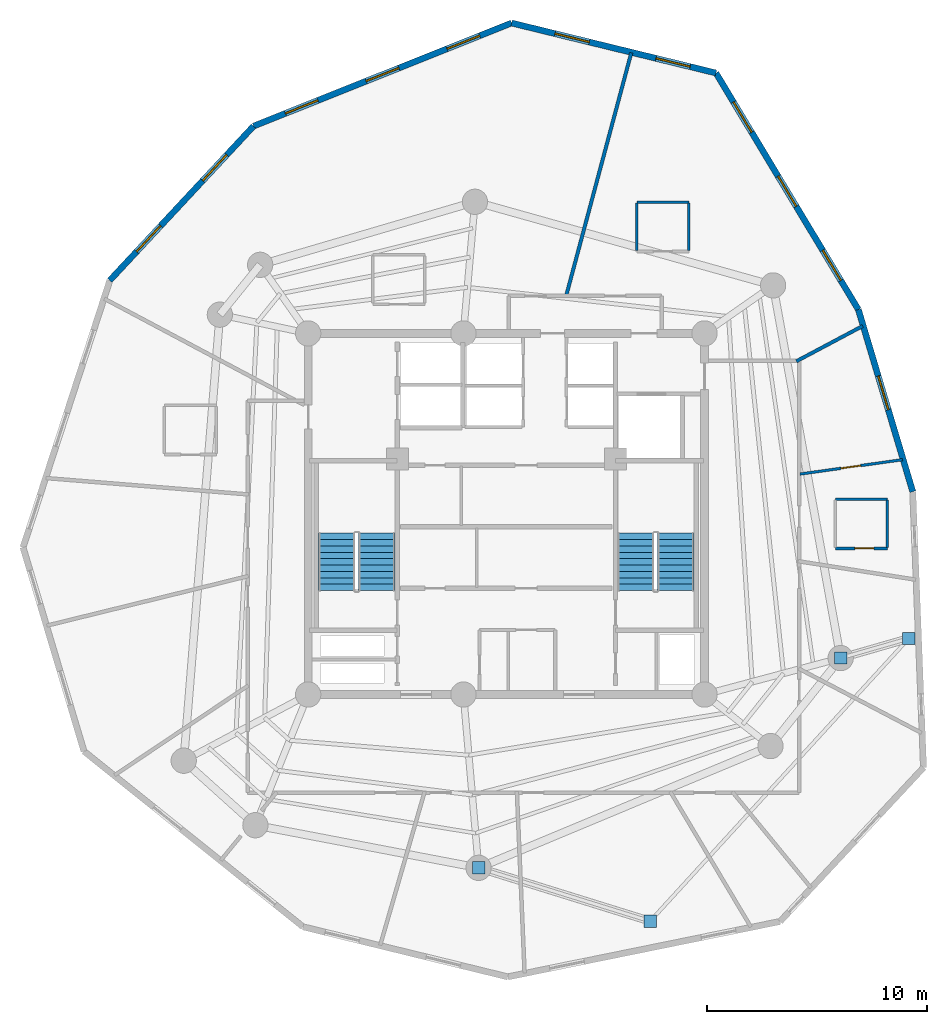
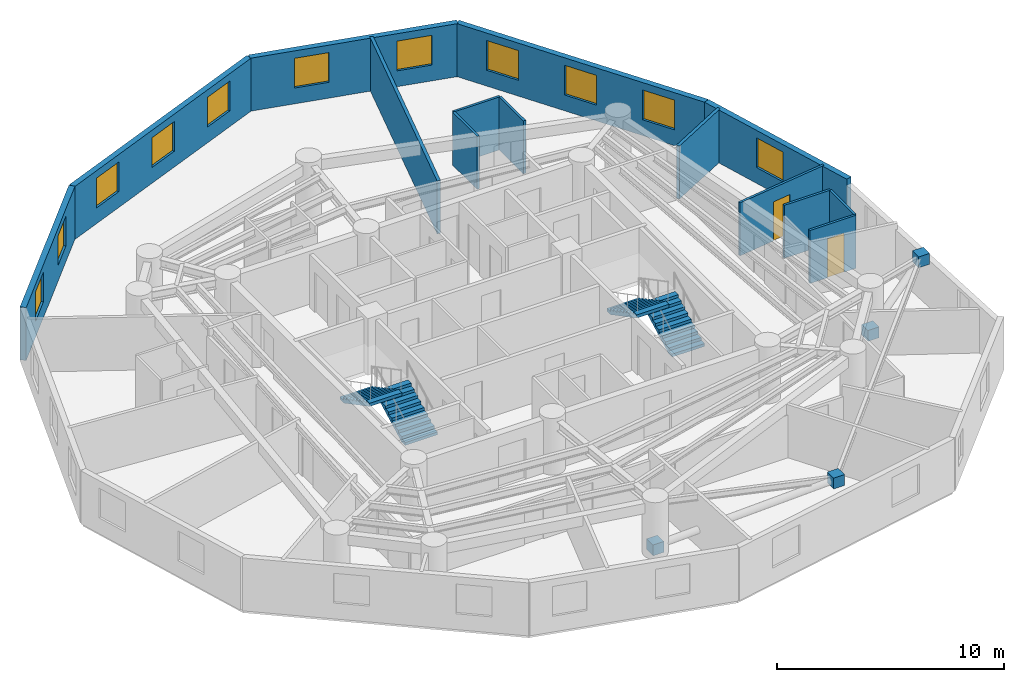
# One storey, part 6 of 7: 14 walls, 11 windows, 4 discrete accessories, 4 stair flights, 2 doors, 13 openings, 2 elements without a shape of their own.
"""IFC4 building model written with IfcOpenShell, lengths in metres."""

from ifc_helpers import new_model, si_unit, direction, frame, frame_2d, origin, origin_with_axes, origin_2d, place, context, subcontext, project, spatial, polyline, rectangle, outline, extrude, source, transform, mapped, material, layer, layer_set, type_object, element, fill, aggregate, save


model = new_model("IFC4")

# Units and contexts
model_context = context("Model", 3, precision=1e-05, world=origin(), true_north=direction((0.0, 1.0)))
body_context = subcontext(model_context, "Body", "Model", "MODEL_VIEW")
ifc_project = project(units=[si_unit("LENGTHUNIT", "METRE"), si_unit("AREAUNIT", "SQUARE_METRE"), si_unit("VOLUMEUNIT", "CUBIC_METRE"), si_unit("PLANEANGLEUNIT", "RADIAN"), si_unit("MASSUNIT", "GRAM", prefix="KILO")], contexts=[model_context])

# Site, building, storey
site_placement = place(None, origin())
site = spatial("IfcSite", under=ifc_project, at=site_placement, CompositionType="ELEMENT")
building_placement = place(site_placement, origin())
building = spatial("IfcBuilding", under=site, at=building_placement, Name="Karkom Vertical University and Central Library", CompositionType="ELEMENT")
storey_placement = place(building_placement, frame((0.0, 0.0, 229.10009765625)))
storey = spatial("IfcBuildingStorey", under=building, at=storey_placement, Name="L67", CompositionType="ELEMENT", Elevation=229.10009765625)

# Wall, opening, window
ifc_material_1 = material(Name="Brick-faced precast concrete C45/55", Category="masonry")
ifc_layer_1 = layer(ifc_material_1, 0.280029296875)
ifc_layer_set_1 = layer_set([ifc_layer_1], Name="Brick-faced precast concrete C45/55")
wall_type_1 = type_object("IfcWallType", Name="ENV-WL-BRK-280", PredefinedType="SOLIDWALL", material=ifc_layer_set_1)
wall_1_placement = place(storey_placement, frame((46.958251953125, 27.51318359375, 0.0), z_axis=(0.0, 0.0, 1.0), x_axis=(-0.286358854321, 0.958122438184, 0.0)))
wall_1 = element("IfcWall", 1, at=wall_1_placement, inside=storey, type_object=wall_type_1, Name="Level 67 Brick-Faced Precast Facade Wall 07", PredefinedType="SOLIDWALL", context=body_context, shape_type="SweptSolid", body=[
    extrude(rectangle(XDim=8.629638671875, YDim=0.280029296875, at=frame_2d((4.31494140625, 0.0))), origin(), (0.0, 0.0, 1.0), 2.849853515625),
])
opening_1_placement = place(wall_1_placement, frame((3.881103515625, 0.0, 0.85009765625)))
opening_1 = element("IfcOpeningElement", 2, at=opening_1_placement, cuts=wall_1, Name="Opening WN-10", PredefinedType="OPENING", context=body_context, shape_type="SweptSolid", body=[
    extrude(rectangle(XDim=1.60009765625, YDim=1.60009765625, at=frame_2d((0.800048828125, 0.800048828125))), frame((0.0, 0.14990234375, 0.0), z_axis=(0.0, -1.0, 0.0), x_axis=(1.0, 0.0, 0.0)), (0.0, 0.0, 1.0), 0.300048828125),
])
ifc_material_2 = material(Name="Aluminium thermal-break frame with solar-control IGU", Category="aluminium")
window_type = type_object("IfcWindowType", Name="ENV-WIN-WN-10", PartitioningType="SINGLE_PANEL", PredefinedType="WINDOW", material=ifc_material_2)
shared_shape_1 = source(origin_with_axes(), body_context, "Body", "SweptSolid", [
    extrude(rectangle(XDim=1.60009765625, YDim=1.60009765625, at=frame_2d((0.800048828125, 0.800048828125))), frame((0.0, 0.030029296875, 0.0), z_axis=(0.0, -1.0, 0.0), x_axis=(1.0, 0.0, 0.0)), (0.0, 0.0, 1.0), 0.06005859375),
])
window_1_placement = place(opening_1_placement, origin())
window_1 = element("IfcWindow", 3, at=window_1_placement, inside=storey, type_object=window_type, Name="Level 67 Punched Window 7.1", OverallHeight=1.60009765625, OverallWidth=1.60009765625, PartitioningType="SINGLE_PANEL", PredefinedType="WINDOW", context=body_context, shape_type="MappedRepresentation", body=[
    mapped(shared_shape_1, transform((0.0, 0.0, 0.0), scale=1.0)),
])
fill(opening_1, window_1)

# Wall, openings, windows
wall_2_placement = place(storey_placement, frame((44.487060546875, 35.781494140625, 0.0), z_axis=(0.0, 0.0, 1.0), x_axis=(-0.515700438424, 0.856768964079, 0.0)))
wall_2 = element("IfcWall", 4, at=wall_2_placement, inside=storey, type_object=wall_type_1, Name="Level 67 Brick-Faced Precast Facade Wall 08", PredefinedType="SOLIDWALL", context=body_context, shape_type="SweptSolid", body=[
    extrude(rectangle(XDim=12.541748046875, YDim=0.280029296875, at=frame_2d((6.27099609375, 0.0))), origin(), (0.0, 0.0, 1.0), 2.849853515625),
])
opening_2_placement = place(wall_2_placement, frame((1.543701171875, 0.0, 0.85009765625)))
opening_2 = element("IfcOpeningElement", 5, at=opening_2_placement, cuts=wall_2, Name="Opening WN-10", PredefinedType="OPENING", context=body_context, shape_type="SweptSolid", body=[
    extrude(rectangle(XDim=1.60009765625, YDim=1.60009765625, at=frame_2d((0.800048828125, 0.800048828125))), frame((0.0, 0.14990234375, 0.0), z_axis=(0.0, -1.0, 0.0), x_axis=(1.0, 0.0, 0.0)), (0.0, 0.0, 1.0), 0.300048828125),
])
opening_3_placement = place(wall_2_placement, frame((5.470703125, 0.0, 0.85009765625)))
opening_3 = element("IfcOpeningElement", 6, at=opening_3_placement, cuts=wall_2, Name="Opening WN-10", PredefinedType="OPENING", context=body_context, shape_type="SweptSolid", body=[
    extrude(rectangle(XDim=1.60009765625, YDim=1.60009765625, at=frame_2d((0.800048828125, 0.800048828125))), frame((0.0, 0.14990234375, 0.0), z_axis=(0.0, -1.0, 0.0), x_axis=(1.0, 0.0, 0.0)), (0.0, 0.0, 1.0), 0.300048828125),
])
opening_4_placement = place(wall_2_placement, frame((9.39794921875, 0.0, 0.85009765625)))
opening_4 = element("IfcOpeningElement", 7, at=opening_4_placement, cuts=wall_2, Name="Opening WN-10", PredefinedType="OPENING", context=body_context, shape_type="SweptSolid", body=[
    extrude(rectangle(XDim=1.60009765625, YDim=1.60009765625, at=frame_2d((0.800048828125, 0.800048828125))), frame((0.0, 0.14990234375, 0.0), z_axis=(0.0, -1.0, 0.0), x_axis=(1.0, 0.0, 0.0)), (0.0, 0.0, 1.0), 0.300048828125),
])
window_2_placement = place(opening_2_placement, origin())
window_2 = element("IfcWindow", 8, at=window_2_placement, inside=storey, type_object=window_type, Name="Level 67 Punched Window 8.1", OverallHeight=1.60009765625, OverallWidth=1.60009765625, PartitioningType="SINGLE_PANEL", PredefinedType="WINDOW", context=body_context, shape_type="MappedRepresentation", body=[
    mapped(shared_shape_1, transform((0.0, 0.0, 0.0), scale=1.0)),
])
fill(opening_2, window_2)
window_3_placement = place(opening_3_placement, origin())
window_3 = element("IfcWindow", 9, at=window_3_placement, inside=storey, type_object=window_type, Name="Level 67 Punched Window 8.2", OverallHeight=1.60009765625, OverallWidth=1.60009765625, PartitioningType="SINGLE_PANEL", PredefinedType="WINDOW", context=body_context, shape_type="MappedRepresentation", body=[
    mapped(shared_shape_1, transform((0.0, 0.0, 0.0), scale=1.0)),
])
fill(opening_3, window_3)
window_4_placement = place(opening_4_placement, origin())
window_4 = element("IfcWindow", 10, at=window_4_placement, inside=storey, type_object=window_type, Name="Level 67 Punched Window 8.3", OverallHeight=1.60009765625, OverallWidth=1.60009765625, PartitioningType="SINGLE_PANEL", PredefinedType="WINDOW", context=body_context, shape_type="MappedRepresentation", body=[
    mapped(shared_shape_1, transform((0.0, 0.0, 0.0), scale=1.0)),
])
fill(opening_4, window_4)

wall_3_placement = place(storey_placement, frame((38.019287109375, 46.52685546875, 0.0), z_axis=(0.0, 0.0, 1.0), x_axis=(-0.971378572571, 0.237536668223, 0.0)))
wall_3 = element("IfcWall", 11, at=wall_3_placement, inside=storey, type_object=wall_type_1, Name="Level 67 Brick-Faced Precast Facade Wall 09", PredefinedType="SOLIDWALL", context=body_context, shape_type="SweptSolid", body=[
    extrude(rectangle(XDim=9.555419921875, YDim=0.280029296875, at=frame_2d((4.77783203125, 0.0))), origin(), (0.0, 0.0, 1.0), 2.849853515625),
])
opening_5_placement = place(wall_3_placement, frame((1.20703125, 0.0, 0.85009765625)))
opening_5 = element("IfcOpeningElement", 12, at=opening_5_placement, cuts=wall_3, Name="Opening WN-10", PredefinedType="OPENING", context=body_context, shape_type="SweptSolid", body=[
    extrude(rectangle(XDim=1.60009765625, YDim=1.60009765625, at=frame_2d((0.800048828125, 0.800048828125))), frame((0.0, 0.14990234375, 0.0), z_axis=(0.0, -1.0, 0.0), x_axis=(1.0, 0.0, 0.0)), (0.0, 0.0, 1.0), 0.300048828125),
])
opening_6_placement = place(wall_3_placement, frame((5.9248046875, 0.0, 0.85009765625)))
opening_6 = element("IfcOpeningElement", 13, at=opening_6_placement, cuts=wall_3, Name="Opening WN-10", PredefinedType="OPENING", context=body_context, shape_type="SweptSolid", body=[
    extrude(rectangle(XDim=1.60009765625, YDim=1.60009765625, at=frame_2d((0.800048828125, 0.800048828125))), frame((0.0, 0.14990234375, 0.0), z_axis=(0.0, -1.0, 0.0), x_axis=(1.0, 0.0, 0.0)), (0.0, 0.0, 1.0), 0.300048828125),
])
window_5_placement = place(opening_5_placement, origin())
window_5 = element("IfcWindow", 14, at=window_5_placement, inside=storey, type_object=window_type, Name="Level 67 Punched Window 9.1", OverallHeight=1.60009765625, OverallWidth=1.60009765625, PartitioningType="SINGLE_PANEL", PredefinedType="WINDOW", context=body_context, shape_type="MappedRepresentation", body=[
    mapped(shared_shape_1, transform((0.0, 0.0, 0.0), scale=1.0)),
])
fill(opening_5, window_5)
window_6_placement = place(opening_6_placement, origin())
window_6 = element("IfcWindow", 15, at=window_6_placement, inside=storey, type_object=window_type, Name="Level 67 Punched Window 9.2", OverallHeight=1.60009765625, OverallWidth=1.60009765625, PartitioningType="SINGLE_PANEL", PredefinedType="WINDOW", context=body_context, shape_type="MappedRepresentation", body=[
    mapped(shared_shape_1, transform((0.0, 0.0, 0.0), scale=1.0)),
])
fill(opening_6, window_6)

wall_4_placement = place(storey_placement, frame((28.7373046875, 48.796630859375, 0.0), z_axis=(0.0, 0.0, 1.0), x_axis=(-0.928620705321, -0.371030437631, 0.0)))
wall_4 = element("IfcWall", 16, at=wall_4_placement, inside=storey, type_object=wall_type_1, Name="Level 67 Brick-Faced Precast Facade Wall 10", PredefinedType="SOLIDWALL", context=body_context, shape_type="SweptSolid", body=[
    extrude(rectangle(XDim=12.62060546875, YDim=0.280029296875, at=frame_2d((6.310302734375, 0.0))), origin(), (0.0, 0.0, 1.0), 2.849853515625),
])
opening_7_placement = place(wall_4_placement, frame((1.556884765625, 0.0, 0.85009765625)))
opening_7 = element("IfcOpeningElement", 17, at=opening_7_placement, cuts=wall_4, Name="Opening WN-10", PredefinedType="OPENING", context=body_context, shape_type="SweptSolid", body=[
    extrude(rectangle(XDim=1.60009765625, YDim=1.60009765625, at=frame_2d((0.800048828125, 0.800048828125))), frame((0.0, 0.14990234375, 0.0), z_axis=(0.0, -1.0, 0.0), x_axis=(1.0, 0.0, 0.0)), (0.0, 0.0, 1.0), 0.300048828125),
])
opening_8_placement = place(wall_4_placement, frame((5.510498046875, 0.0, 0.85009765625)))
opening_8 = element("IfcOpeningElement", 18, at=opening_8_placement, cuts=wall_4, Name="Opening WN-10", PredefinedType="OPENING", context=body_context, shape_type="SweptSolid", body=[
    extrude(rectangle(XDim=1.60009765625, YDim=1.60009765625, at=frame_2d((0.800048828125, 0.800048828125))), frame((0.0, 0.14990234375, 0.0), z_axis=(0.0, -1.0, 0.0), x_axis=(1.0, 0.0, 0.0)), (0.0, 0.0, 1.0), 0.300048828125),
])
opening_9_placement = place(wall_4_placement, frame((9.4638671875, 0.0, 0.85009765625)))
opening_9 = element("IfcOpeningElement", 19, at=opening_9_placement, cuts=wall_4, Name="Opening WN-10", PredefinedType="OPENING", context=body_context, shape_type="SweptSolid", body=[
    extrude(rectangle(XDim=1.60009765625, YDim=1.60009765625, at=frame_2d((0.800048828125, 0.800048828125))), frame((0.0, 0.14990234375, 0.0), z_axis=(0.0, -1.0, 0.0), x_axis=(1.0, 0.0, 0.0)), (0.0, 0.0, 1.0), 0.300048828125),
])
window_7_placement = place(opening_7_placement, origin())
window_7 = element("IfcWindow", 20, at=window_7_placement, inside=storey, type_object=window_type, Name="Level 67 Punched Window 10.1", OverallHeight=1.60009765625, OverallWidth=1.60009765625, PartitioningType="SINGLE_PANEL", PredefinedType="WINDOW", context=body_context, shape_type="MappedRepresentation", body=[
    mapped(shared_shape_1, transform((0.0, 0.0, 0.0), scale=1.0)),
])
fill(opening_7, window_7)
window_8_placement = place(opening_8_placement, origin())
window_8 = element("IfcWindow", 21, at=window_8_placement, inside=storey, type_object=window_type, Name="Level 67 Punched Window 10.2", OverallHeight=1.60009765625, OverallWidth=1.60009765625, PartitioningType="SINGLE_PANEL", PredefinedType="WINDOW", context=body_context, shape_type="MappedRepresentation", body=[
    mapped(shared_shape_1, transform((0.0, 0.0, 0.0), scale=1.0)),
])
fill(opening_8, window_8)
window_9_placement = place(opening_9_placement, origin())
window_9 = element("IfcWindow", 22, at=window_9_placement, inside=storey, type_object=window_type, Name="Level 67 Punched Window 10.3", OverallHeight=1.60009765625, OverallWidth=1.60009765625, PartitioningType="SINGLE_PANEL", PredefinedType="WINDOW", context=body_context, shape_type="MappedRepresentation", body=[
    mapped(shared_shape_1, transform((0.0, 0.0, 0.0), scale=1.0)),
])
fill(opening_9, window_9)

wall_5_placement = place(storey_placement, frame((17.017578125, 44.114013671875, 0.0), z_axis=(0.0, 0.0, 1.0), x_axis=(-0.681733042543, -0.731601024264, 0.0)))
wall_5 = element("IfcWall", 23, at=wall_5_placement, inside=storey, type_object=wall_type_1, Name="Level 67 Brick-Faced Precast Facade Wall 11", PredefinedType="SOLIDWALL", context=body_context, shape_type="SweptSolid", body=[
    extrude(rectangle(XDim=9.576171875, YDim=0.280029296875, at=frame_2d((4.7880859375, 0.0))), origin(), (0.0, 0.0, 1.0), 2.849853515625),
])
opening_10_placement = place(wall_5_placement, frame((1.783935546875, 0.0, 0.85009765625)))
opening_10 = element("IfcOpeningElement", 24, at=opening_10_placement, cuts=wall_5, Name="Opening WN-10", PredefinedType="OPENING", context=body_context, shape_type="SweptSolid", body=[
    extrude(rectangle(XDim=1.60009765625, YDim=1.60009765625, at=frame_2d((0.800048828125, 0.800048828125))), frame((0.0, 0.14990234375, 0.0), z_axis=(0.0, -1.0, 0.0), x_axis=(1.0, 0.0, 0.0)), (0.0, 0.0, 1.0), 0.300048828125),
])
opening_11_placement = place(wall_5_placement, frame((6.19189453125, 0.0, 0.85009765625)))
opening_11 = element("IfcOpeningElement", 25, at=opening_11_placement, cuts=wall_5, Name="Opening WN-10", PredefinedType="OPENING", context=body_context, shape_type="SweptSolid", body=[
    extrude(rectangle(XDim=1.60009765625, YDim=1.60009765625, at=frame_2d((0.800048828125, 0.800048828125))), frame((0.0, 0.14990234375, 0.0), z_axis=(0.0, -1.0, 0.0), x_axis=(1.0, 0.0, 0.0)), (0.0, 0.0, 1.0), 0.300048828125),
])
window_10_placement = place(opening_10_placement, origin())
window_10 = element("IfcWindow", 26, at=window_10_placement, inside=storey, type_object=window_type, Name="Level 67 Punched Window 11.1", OverallHeight=1.60009765625, OverallWidth=1.60009765625, PartitioningType="SINGLE_PANEL", PredefinedType="WINDOW", context=body_context, shape_type="MappedRepresentation", body=[
    mapped(shared_shape_1, transform((0.0, 0.0, 0.0), scale=1.0)),
])
fill(opening_10, window_10)
window_11_placement = place(opening_11_placement, origin())
window_11 = element("IfcWindow", 27, at=window_11_placement, inside=storey, type_object=window_type, Name="Level 67 Punched Window 11.2", OverallHeight=1.60009765625, OverallWidth=1.60009765625, PartitioningType="SINGLE_PANEL", PredefinedType="WINDOW", context=body_context, shape_type="MappedRepresentation", body=[
    mapped(shared_shape_1, transform((0.0, 0.0, 0.0), scale=1.0)),
])
fill(opening_11, window_11)

# Walls
ifc_material_3 = material(Name="Insulated metal-stud drywall 160mm", Category="gypsum")
ifc_layer_2 = layer(ifc_material_3, 0.159912109375)
ifc_layer_set_2 = layer_set([ifc_layer_2], Name="Insulated metal-stud drywall 160mm")
wall_type_2 = type_object("IfcWallType", Name="INT-WL-COR-160", PredefinedType="PARTITIONING", material=ifc_layer_set_2)
wall_6_placement = place(storey_placement, frame((31.20703125, 36.37109375, 0.0), z_axis=(0.0, 0.0, 1.0), x_axis=(0.258821267514, 0.965925230793, 0.0)))
element("IfcWall", 28, at=wall_6_placement, inside=storey, type_object=wall_type_2, Name="Level 67 Interior Partition Wall L67-PW-013", PredefinedType="PARTITIONING", context=body_context, shape_type="SweptSolid", body=[
    extrude(rectangle(XDim=11.4609375, YDim=0.159912109375, at=frame_2d((5.73046875, 0.0))), origin(), (0.0, 0.0, 1.0), 2.849853515625),
])
wall_7_placement = place(storey_placement, frame((41.67236328125, 33.435791015625, 0.0), z_axis=(0.0, 0.0, 1.0), x_axis=(0.882931134214, 0.469502515687, 0.0)))
element("IfcWall", 29, at=wall_7_placement, inside=storey, type_object=wall_type_2, Name="Level 67 Interior Partition Wall L67-PW-012", PredefinedType="PARTITIONING", context=body_context, shape_type="SweptSolid", body=[
    extrude(rectangle(XDim=3.4091796875, YDim=0.159912109375, at=frame_2d((1.70458984375, 0.0))), origin(), (0.0, 0.0, 1.0), 2.849853515625),
])

# Wall, opening, door
ifc_material_4 = material(Name="Moisture-resistant drywall 120mm", Category="gypsum")
ifc_layer_3 = layer(ifc_material_4, 0.1201171875)
ifc_layer_set_3 = layer_set([ifc_layer_3], Name="Moisture-resistant drywall 120mm")
wall_type_3 = type_object("IfcWallType", Name="INT-WL-INT-120", PredefinedType="PARTITIONING", material=ifc_layer_set_3)
wall_8_placement = place(storey_placement, frame((41.83544921875, 28.311767578125, 0.0), z_axis=(0.0, 0.0, 1.0), x_axis=(0.990286837711, 0.1390394874, 0.0)))
wall_8 = element("IfcWall", 30, at=wall_8_placement, inside=storey, type_object=wall_type_3, Name="Level 67 Interior Partition Wall L67-APT-10-DIV", PredefinedType="PARTITIONING", context=body_context, shape_type="SweptSolid", body=[
    extrude(rectangle(XDim=4.70751953125, YDim=0.1201171875, at=frame_2d((2.353759765625, 0.0))), origin(), (0.0, 0.0, 1.0), 2.849853515625),
])
opening_12_placement = place(wall_8_placement, frame((1.878662109375, 0.0, 0.0)))
opening_12 = element("IfcOpeningElement", 31, at=opening_12_placement, cuts=wall_8, Name="Opening D-INT1", PredefinedType="OPENING", context=body_context, shape_type="SweptSolid", body=[
    extrude(rectangle(XDim=0.89990234375, YDim=2.10009765625, at=frame_2d((0.449951171875, 1.050048828125))), frame((0.0, 0.070068359375, 0.0), z_axis=(0.0, -1.0, 0.0), x_axis=(1.0, 0.0, 0.0)), (0.0, 0.0, 1.0), 0.14013671875),
])
ifc_material_5 = material(Name="Painted solid-core timber door", Category="wood")
door_type_1 = type_object("IfcDoorType", Name="INT-DR-INT1", OperationType="NOTDEFINED", PredefinedType="DOOR", material=ifc_material_5)
shared_shape_2 = source(origin_with_axes(), body_context, "Body", "SweptSolid", [
    extrude(rectangle(XDim=0.89990234375, YDim=2.10009765625, at=frame_2d((0.449951171875, 1.050048828125))), frame((0.0, 0.02490234375, 0.0), z_axis=(0.0, -1.0, 0.0), x_axis=(1.0, 0.0, 0.0)), (0.0, 0.0, 1.0), 0.050048828125),
])
door_1_placement = place(opening_12_placement, origin())
door_1 = element("IfcDoor", 32, at=door_1_placement, inside=storey, type_object=door_type_1, Name="Level 67 Flat L67-10 Internal Door", OperationType="SINGLE_SWING_RIGHT", OverallHeight=2.10009765625, OverallWidth=0.89990234375, PredefinedType="DOOR", context=body_context, shape_type="MappedRepresentation", body=[
    mapped(shared_shape_2, transform((0.0, 0.0, 0.0), scale=1.0)),
])
fill(opening_12, door_1)

ifc_layer_4 = layer(ifc_material_4, 0.1201171875)
ifc_layer_set_4 = layer_set([ifc_layer_4], Name="Moisture-resistant drywall 120mm")
wall_type_4 = type_object("IfcWallType", Name="INT-WL-INT-120F", PredefinedType="PARTITIONING", material=ifc_layer_set_4)
wall_9_placement = place(storey_placement, frame((43.43798828125, 24.93505859375, 0.0), z_axis=(0.0, 0.0, 1.0), x_axis=(1.0, 0.0, 0.0)))
wall_9 = element("IfcWall", 33, at=wall_9_placement, inside=storey, type_object=wall_type_4, Name="Level 67 Interior Partition Wall L67-ENS-49-S", PredefinedType="PARTITIONING", context=body_context, shape_type="SweptSolid", body=[
    extrude(rectangle(XDim=2.360107421875, YDim=0.1201171875, at=frame_2d((1.18017578125, 0.0))), origin(), (0.0, 0.0, 1.0), 2.849853515625),
])
opening_13_placement = place(wall_9_placement, frame((0.889892578125, 0.0, 0.0)))
opening_13 = element("IfcOpeningElement", 34, at=opening_13_placement, cuts=wall_9, Name="Opening D-BATH", PredefinedType="OPENING", context=body_context, shape_type="SweptSolid", body=[
    extrude(rectangle(XDim=0.860107421875, YDim=2.10009765625, at=frame_2d((0.43017578125, 1.050048828125))), frame((0.0, 0.070068359375, 0.0), z_axis=(0.0, -1.0, 0.0), x_axis=(1.0, 0.0, 0.0)), (0.0, 0.0, 1.0), 0.14013671875),
])
ifc_material_6 = material(Name="Moisture-resistant oak door", Category="wood")
door_type_2 = type_object("IfcDoorType", Name="INT-DR-BATH", OperationType="NOTDEFINED", PredefinedType="DOOR", material=ifc_material_6)
shared_shape_3 = source(origin_with_axes(), body_context, "Body", "SweptSolid", [
    extrude(rectangle(XDim=0.860107421875, YDim=2.10009765625, at=frame_2d((0.43017578125, 1.050048828125))), frame((0.0, 0.02490234375, 0.0), z_axis=(0.0, -1.0, 0.0), x_axis=(1.0, 0.0, 0.0)), (0.0, 0.0, 1.0), 0.050048828125),
])
door_2_placement = place(opening_13_placement, origin())
door_2 = element("IfcDoor", 35, at=door_2_placement, inside=storey, type_object=door_type_2, Name="Level 67 En-Suite Bathroom Door 49", OperationType="SINGLE_SWING_LEFT", OverallHeight=2.10009765625, OverallWidth=0.860107421875, PredefinedType="DOOR", context=body_context, shape_type="MappedRepresentation", body=[
    mapped(shared_shape_3, transform((0.0, 0.0, 0.0), scale=1.0)),
])
fill(opening_13, door_2)

# Walls
wall_10_placement = place(storey_placement, frame((45.798095703125, 27.175048828125, 0.0), z_axis=(0.0, 0.0, 1.0), x_axis=(-1.0, 0.0, 0.0)))
element("IfcWall", 36, at=wall_10_placement, inside=storey, type_object=wall_type_4, Name="Level 67 Interior Partition Wall L67-ENS-49-N", PredefinedType="PARTITIONING", context=body_context, shape_type="SweptSolid", body=[
    extrude(rectangle(XDim=2.360107421875, YDim=0.1201171875, at=frame_2d((1.18017578125, 0.0))), origin(), (0.0, 0.0, 1.0), 2.849853515625),
])
wall_11_placement = place(storey_placement, frame((36.782958984375, 40.662109375, 0.0), z_axis=(0.0, 0.0, 1.0), x_axis=(-1.0, 0.0, 0.0)))
element("IfcWall", 37, at=wall_11_placement, inside=storey, type_object=wall_type_4, Name="Level 67 Interior Partition Wall L67-ENS-50-N", PredefinedType="PARTITIONING", context=body_context, shape_type="SweptSolid", body=[
    extrude(rectangle(XDim=2.35986328125, YDim=0.1201171875, at=frame_2d((1.179931640625, 0.0))), origin(), (0.0, 0.0, 1.0), 2.849853515625),
])
wall_12_placement = place(storey_placement, frame((45.798095703125, 24.985107421875, 0.0), z_axis=(0.0, 0.0, 1.0), x_axis=(0.0, 1.0, 0.0)))
element("IfcWall", 38, at=wall_12_placement, inside=storey, type_object=wall_type_4, Name="Level 67 Interior Partition Wall L67-ENS-49-E", PredefinedType="PARTITIONING", context=body_context, shape_type="SweptSolid", body=[
    extrude(rectangle(XDim=2.139892578125, YDim=0.1201171875, at=frame_2d((1.06982421875, 0.0))), origin(), (0.0, 0.0, 1.0), 2.849853515625),
])
for number, where, z_axis, x_axis, name in (
    (39, (36.782958984375, 38.471923828125, 0.0), (0.0, 0.0, 1.0), (0.0, 1.0, 0.0), "Level 67 Interior Partition Wall L67-ENS-50-E"),
    (40, (34.423095703125, 40.612060546875, 0.0), (0.0, 0.0, 1.0), (0.0, -1.0, 0.0), "Level 67 Interior Partition Wall L67-ENS-50-W"),
):
    element("IfcWall", number, at=place(storey_placement, frame(where, z_axis=z_axis, x_axis=x_axis)), inside=storey, type_object=wall_type_4, Name=name, PredefinedType="PARTITIONING", context=body_context, shape_type="SweptSolid", body=[
        extrude(rectangle(XDim=2.14013671875, YDim=0.1201171875, at=frame_2d((1.070068359375, 0.0))), origin(), (0.0, 0.0, 1.0), 2.849853515625),
    ])

# Stair, stair flights
ifc_material_7 = material(Name="Concrete C45/55", Category="concrete")
stair_type = type_object("IfcStairType", Name="INT-STR-ST-MAIN", PredefinedType="HALF_TURN_STAIR", material=ifc_material_7)
stair_1_placement = place(storey_placement, origin())
stair_1 = element("IfcStair", 41, at=stair_1_placement, inside=storey, type_object=stair_type, Name="Level 67 Tower Protected Exit Stair ST-1", PredefinedType="HALF_TURN_STAIR")
stair_flight_type = type_object("IfcStairFlightType", Name="INT-SFL-ST-MAIN", PredefinedType="STRAIGHT", material=ifc_material_7)
stair_flight_1_placement = place(storey_placement, frame((22.614990234375, 23.02001953125, 0.0), z_axis=(0.0, 0.0, 1.0), x_axis=(0.0, 1.0, 0.0)))
stair_flight_1 = element("IfcStairFlight", 42, at=stair_flight_1_placement, type_object=stair_flight_type, Name="ST-1 flight 1", NumberOfRisers=10, NumberOfTreads=9, PredefinedType="STRAIGHT", RiserHeight=0.1525, TreadLength=0.29, context=body_context, shape_type="SweptSolid", body=[
    extrude(outline(polyline([(0.0, 0.0), (0.0, 0.152587890625), (0.2900390625, 0.152587890625), (0.2900390625, 0.304931640625), (0.580078125, 0.304931640625), (0.580078125, 0.45751953125), (0.8701171875, 0.45751953125), (0.8701171875, 0.610107421875), (1.159912109375, 0.610107421875), (1.159912109375, 0.762451171875), (1.449951171875, 0.762451171875), (1.449951171875, 0.9150390625), (1.739990234375, 0.9150390625), (1.739990234375, 1.0673828125), (2.030029296875, 1.0673828125), (2.030029296875, 1.219970703125), (2.320068359375, 1.219970703125), (2.320068359375, 1.37255859375), (2.610107421875, 1.37255859375), (2.610107421875, 1.52490234375), (2.610107421875, 1.203125), (0.322021484375, 0.0), (0.0, 0.0)])), frame((0.0, 0.824951171875, 0.0), z_axis=(0.0, -1.0, 0.0), x_axis=(1.0, 0.0, 0.0)), (0.0, 0.0, 1.0), 1.64990234375),
])
stair_flight_2_placement = place(storey_placement, frame((20.804931640625, 25.6298828125, 1.52490234375), z_axis=(0.0, 0.0, 1.0), x_axis=(0.0, -1.0, 0.0)))
stair_flight_2 = element("IfcStairFlight", 43, at=stair_flight_2_placement, type_object=stair_flight_type, Name="ST-1 flight 2", NumberOfRisers=10, NumberOfTreads=9, PredefinedType="STRAIGHT", RiserHeight=0.1525, TreadLength=0.29, context=body_context, shape_type="SweptSolid", body=[
    extrude(outline(polyline([(0.0, 0.0), (0.0, 0.152587890625), (0.2900390625, 0.152587890625), (0.2900390625, 0.304931640625), (0.580078125, 0.304931640625), (0.580078125, 0.45751953125), (0.8701171875, 0.45751953125), (0.8701171875, 0.610107421875), (1.159912109375, 0.610107421875), (1.159912109375, 0.762451171875), (1.449951171875, 0.762451171875), (1.449951171875, 0.9150390625), (1.739990234375, 0.9150390625), (1.739990234375, 1.0673828125), (2.030029296875, 1.0673828125), (2.030029296875, 1.219970703125), (2.320068359375, 1.219970703125), (2.320068359375, 1.37255859375), (2.610107421875, 1.37255859375), (2.610107421875, 1.52490234375), (2.610107421875, 1.203125), (0.322021484375, 0.0), (0.0, 0.0)])), frame((0.0, 0.824951171875, 0.0), z_axis=(0.0, -1.0, 0.0), x_axis=(1.0, 0.0, 0.0)), (0.0, 0.0, 1.0), 1.64990234375),
])
aggregate(stair_1, [stair_flight_1, stair_flight_2])

stair_2_placement = place(storey_placement, origin())
stair_2 = element("IfcStair", 44, at=stair_2_placement, inside=storey, type_object=stair_type, Name="Level 67 Tower Protected Exit Stair ST-2", PredefinedType="HALF_TURN_STAIR")
stair_flight_3_placement = place(storey_placement, frame((36.195068359375, 23.02001953125, 0.0), z_axis=(0.0, 0.0, 1.0), x_axis=(0.0, 1.0, 0.0)))
stair_flight_3 = element("IfcStairFlight", 45, at=stair_flight_3_placement, type_object=stair_flight_type, Name="ST-2 flight 1", NumberOfRisers=10, NumberOfTreads=9, PredefinedType="STRAIGHT", RiserHeight=0.1525, TreadLength=0.29, context=body_context, shape_type="SweptSolid", body=[
    extrude(outline(polyline([(0.0, 0.0), (0.0, 0.152587890625), (0.2900390625, 0.152587890625), (0.2900390625, 0.304931640625), (0.580078125, 0.304931640625), (0.580078125, 0.45751953125), (0.8701171875, 0.45751953125), (0.8701171875, 0.610107421875), (1.159912109375, 0.610107421875), (1.159912109375, 0.762451171875), (1.449951171875, 0.762451171875), (1.449951171875, 0.9150390625), (1.739990234375, 0.9150390625), (1.739990234375, 1.0673828125), (2.030029296875, 1.0673828125), (2.030029296875, 1.219970703125), (2.320068359375, 1.219970703125), (2.320068359375, 1.37255859375), (2.610107421875, 1.37255859375), (2.610107421875, 1.52490234375), (2.610107421875, 1.203125), (0.322021484375, 0.0), (0.0, 0.0)])), frame((0.0, 0.824951171875, 0.0), z_axis=(0.0, -1.0, 0.0), x_axis=(1.0, 0.0, 0.0)), (0.0, 0.0, 1.0), 1.64990234375),
])
stair_flight_4_placement = place(storey_placement, frame((34.385009765625, 25.6298828125, 1.52490234375), z_axis=(0.0, 0.0, 1.0), x_axis=(0.0, -1.0, 0.0)))
stair_flight_4 = element("IfcStairFlight", 46, at=stair_flight_4_placement, type_object=stair_flight_type, Name="ST-2 flight 2", NumberOfRisers=10, NumberOfTreads=9, PredefinedType="STRAIGHT", RiserHeight=0.1525, TreadLength=0.29, context=body_context, shape_type="SweptSolid", body=[
    extrude(outline(polyline([(0.0, 0.0), (0.0, 0.152587890625), (0.2900390625, 0.152587890625), (0.2900390625, 0.304931640625), (0.580078125, 0.304931640625), (0.580078125, 0.45751953125), (0.8701171875, 0.45751953125), (0.8701171875, 0.610107421875), (1.159912109375, 0.610107421875), (1.159912109375, 0.762451171875), (1.449951171875, 0.762451171875), (1.449951171875, 0.9150390625), (1.739990234375, 0.9150390625), (1.739990234375, 1.0673828125), (2.030029296875, 1.0673828125), (2.030029296875, 1.219970703125), (2.320068359375, 1.219970703125), (2.320068359375, 1.37255859375), (2.610107421875, 1.37255859375), (2.610107421875, 1.52490234375), (2.610107421875, 1.203125), (0.322021484375, 0.0), (0.0, 0.0)])), frame((0.0, 0.824951171875, 0.0), z_axis=(0.0, -1.0, 0.0), x_axis=(1.0, 0.0, 0.0)), (0.0, 0.0, 1.0), 1.64990234375),
])
aggregate(stair_2, [stair_flight_3, stair_flight_4])

# Discrete accessories
ifc_material_8 = material(Name="Ductile cast iron EN-GJS-400-15", Category="metal")
discrete_accessory_type = type_object("IfcDiscreteAccessoryType", Name="STR-ACC-NODECAP", PredefinedType="BRACKET", material=ifc_material_8)
shared_shape_4 = source(origin_with_axes(), body_context, "Body", "SweptSolid", [
    extrude(rectangle(XDim=0.56005859375, YDim=0.56005859375, at=origin_2d()), origin(), (0.0, 0.0, 1.0), 0.580078125),
])
for number, where, z_axis, x_axis, name in (
    (47, (27.239013671875, 10.429931640625, 0.059814453125), (0.0, 0.0, 1.0), (1.0, 0.0, 0.0), "Level 67 Cast Node Connector L67-SKG-KNEE-1 A"),
    (48, (35.031005859375, 8.007080078125, 2.394775390625), (0.0, 0.0, 1.0), (1.0, 0.0, 0.0), "Level 67 Cast Node Connector L67-SKG-KNEE-1 B"),
    (49, (43.681884765625, 19.9560546875, 0.059814453125), (0.0, 0.0, 1.0), (1.0, 0.0, 0.0), "Level 67 Cast Node Connector L67-SKG-KNEE-2 A"),
    (50, (46.771728515625, 20.84619140625, 2.394775390625), (0.0, 0.0, 1.0), (1.0, 0.0, 0.0), "Level 67 Cast Node Connector L67-SKG-KNEE-2 B"),
):
    element("IfcDiscreteAccessory", number, at=place(storey_placement, frame(where, z_axis=z_axis, x_axis=x_axis)), inside=storey, type_object=discrete_accessory_type, Name=name, PredefinedType="BRACKET", context=body_context, shape_type="MappedRepresentation", body=[
        mapped(shared_shape_4, transform((0.0, 0.0, 0.0), scale=1.0)),
    ])

save(model, "model.ifc")
